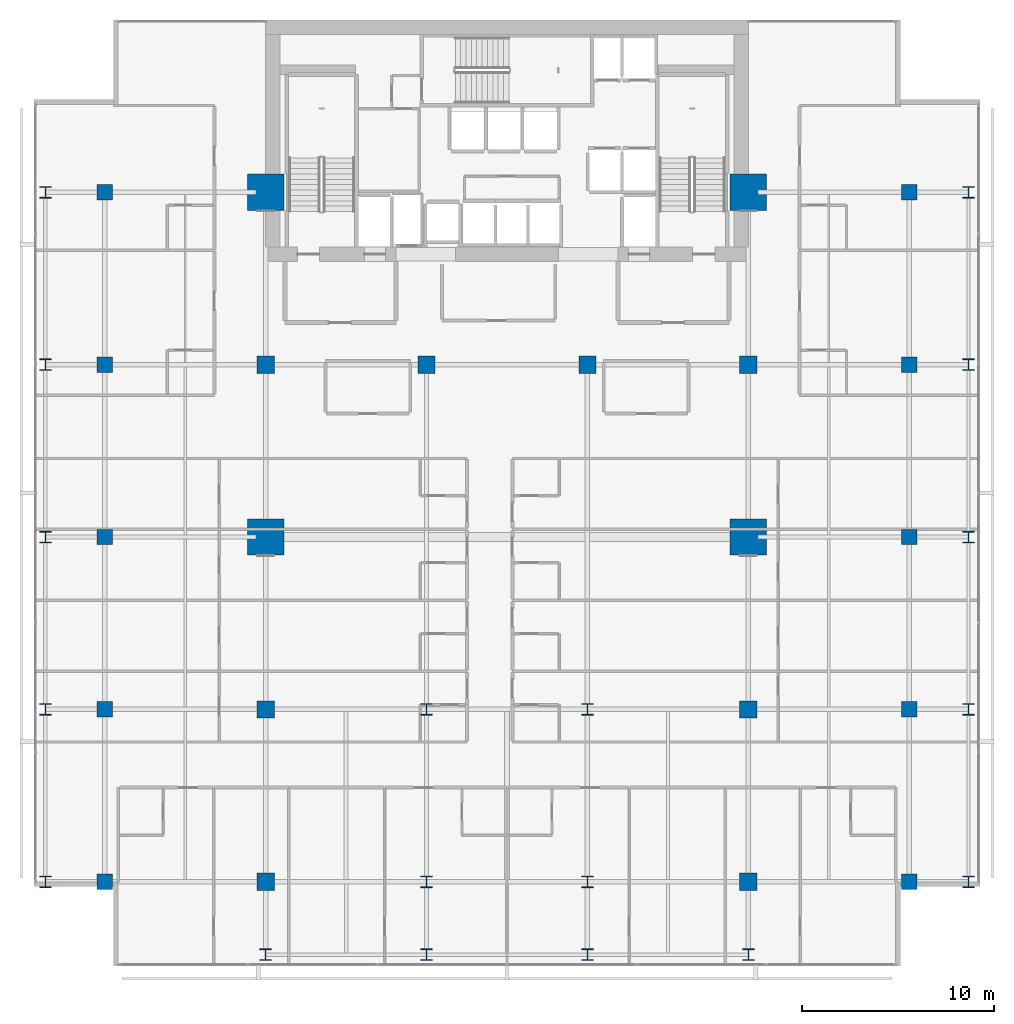
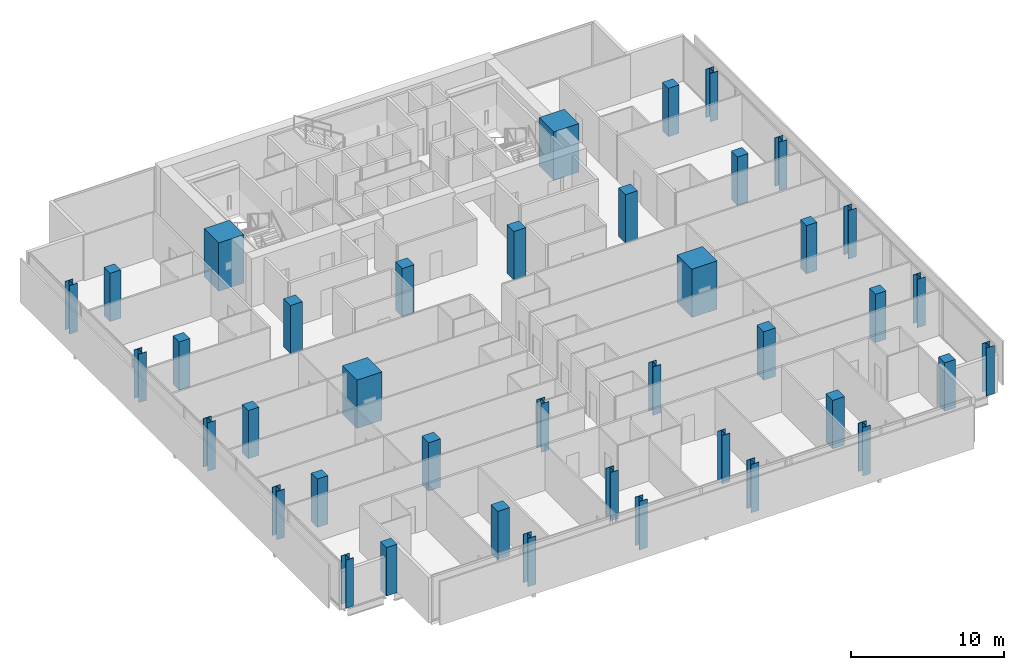
# One storey, part 1 of 34: 40 columns.
"""IFC4 building model written with IfcOpenShell, lengths in metres."""

from ifc_helpers import new_model, si_unit, direction, frame, origin, origin_2d, place, context, subcontext, project, spatial, rectangle, i_section, extrude, material, material_profile, profile_set, type_object, element, save


model = new_model("IFC4")

# Units and contexts
model_context = context("Model", 3, precision=1e-05, world=origin(), true_north=direction((0.0, 1.0)))
body_context = subcontext(model_context, "Body", "Model", "MODEL_VIEW")
ifc_project = project(units=[si_unit("LENGTHUNIT", "METRE"), si_unit("AREAUNIT", "SQUARE_METRE"), si_unit("VOLUMEUNIT", "CUBIC_METRE"), si_unit("PLANEANGLEUNIT", "RADIAN"), si_unit("MASSUNIT", "GRAM", prefix="KILO")], contexts=[model_context])

# Site, building, storey
site_placement = place(None, origin())
site = spatial("IfcSite", under=ifc_project, at=site_placement, CompositionType="ELEMENT")
building_placement = place(site_placement, origin())
building = spatial("IfcBuilding", under=site, at=building_placement, Name="Maruvema Waterfront Hotel and Observation Tower", CompositionType="ELEMENT")
storey_placement = place(building_placement, frame((0.0, 0.0, 185.14990234375)))
storey = spatial("IfcBuildingStorey", under=building, at=storey_placement, Name="L45", CompositionType="ELEMENT", Elevation=185.14990234375)

# Columns
ifc_material_1 = material(Name="Concrete C80/95", Category="concrete")
ifc_material_profile_1 = material_profile(ifc_material_1, rectangle(XDim=1.89990234375, YDim=1.89990234375, at=origin_2d()), Name="MC1900x1900")
ifc_profile_set_1 = profile_set([ifc_material_profile_1], Name="Concrete C80/95")
column_type_1 = type_object("IfcColumnType", Name="Continuous Mega-Column MC1900x1900", PredefinedType="COLUMN", material=ifc_profile_set_1)
for number, where, z_axis, x_axis, name in (
    (1, (25.199951171875, 27.0, 0.0), (0.0, 0.0, 1.0), (1.0, 0.0, 0.0), "L45 Continuous Mega-Column MC-01"),
    (2, (50.39990234375, 27.0, 0.0), (0.0, 0.0, 1.0), (1.0, 0.0, 0.0), "L45 Continuous Mega-Column MC-02"),
    (3, (25.199951171875, 45.0, 0.0), (0.0, 0.0, 1.0), (1.0, 0.0, 0.0), "L45 Continuous Mega-Column MC-03"),
    (4, (50.39990234375, 45.0, 0.0), (0.0, 0.0, 1.0), (1.0, 0.0, 0.0), "L45 Continuous Mega-Column MC-04"),
):
    element("IfcColumn", number, at=place(storey_placement, frame(where, z_axis=z_axis, x_axis=x_axis)), inside=storey, type_object=column_type_1, Name=name, PredefinedType="COLUMN", context=body_context, shape_type="SweptSolid", body=[
        extrude(rectangle(XDim=1.89990234375, YDim=1.89990234375, at=origin_2d()), origin(), (0.0, 0.0, 1.0), 3.85009765625),
    ])
ifc_material_2 = material(Name="Concrete C60/75", Category="concrete")
ifc_material_profile_2 = material_profile(ifc_material_2, rectangle(XDim=0.800048828125, YDim=0.800048828125, at=origin_2d()), Name="RC800x800")
ifc_profile_set_2 = profile_set([ifc_material_profile_2], Name="Concrete C60/75")
column_type_2 = type_object("IfcColumnType", Name="Reinforced Concrete Column RC800x800", PredefinedType="COLUMN", material=ifc_profile_set_2)
for number, where, z_axis, x_axis, name in (
    (5, (16.800048828125, 9.0, 0.0), (0.0, 0.0, 1.0), (1.0, 0.0, 0.0), "L45 Column C-3Y9"),
    (6, (58.800048828125, 9.0, 0.0), (0.0, 0.0, 1.0), (1.0, 0.0, 0.0), "L45 Column C-8Y9"),
    (7, (16.800048828125, 18.0, 0.0), (0.0, 0.0, 1.0), (1.0, 0.0, 0.0), "L45 Column C-3Y18"),
    (8, (58.800048828125, 18.0, 0.0), (0.0, 0.0, 1.0), (1.0, 0.0, 0.0), "L45 Column C-8Y18"),
    (9, (16.800048828125, 27.0, 0.0), (0.0, 0.0, 1.0), (1.0, 0.0, 0.0), "L45 Column C-3Y27"),
    (10, (58.800048828125, 27.0, 0.0), (0.0, 0.0, 1.0), (1.0, 0.0, 0.0), "L45 Column C-8Y27"),
    (11, (16.800048828125, 36.0, 0.0), (0.0, 0.0, 1.0), (1.0, 0.0, 0.0), "L45 Column C-3Y36"),
    (12, (58.800048828125, 36.0, 0.0), (0.0, 0.0, 1.0), (1.0, 0.0, 0.0), "L45 Column C-8Y36"),
    (13, (16.800048828125, 45.0, 0.0), (0.0, 0.0, 1.0), (1.0, 0.0, 0.0), "L45 Column C-3Y45"),
    (14, (58.800048828125, 45.0, 0.0), (0.0, 0.0, 1.0), (1.0, 0.0, 0.0), "L45 Column C-8Y45"),
):
    element("IfcColumn", number, at=place(storey_placement, frame(where, z_axis=z_axis, x_axis=x_axis)), inside=storey, type_object=column_type_2, Name=name, PredefinedType="COLUMN", context=body_context, shape_type="SweptSolid", body=[
        extrude(rectangle(XDim=0.800048828125, YDim=0.800048828125, at=origin_2d()), origin(), (0.0, 0.0, 1.0), 3.85009765625),
    ])
ifc_material_3 = material(Name="Concrete C60/75", Category="concrete")
ifc_material_profile_3 = material_profile(ifc_material_3, rectangle(XDim=0.89990234375, YDim=0.89990234375, at=origin_2d()), Name="RC900x900")
ifc_profile_set_3 = profile_set([ifc_material_profile_3], Name="Concrete C60/75")
column_type_3 = type_object("IfcColumnType", Name="Reinforced Concrete Column RC900x900", PredefinedType="COLUMN", material=ifc_profile_set_3)
for number, where, z_axis, x_axis, name in (
    (15, (25.199951171875, 36.0, 0.0), (0.0, 0.0, 1.0), (1.0, 0.0, 0.0), "L45 Column C-4E"),
    (16, (33.60009765625, 36.0, 0.0), (0.0, 0.0, 1.0), (1.0, 0.0, 0.0), "L45 Column C-5E"),
    (17, (42.0, 36.0, 0.0), (0.0, 0.0, 1.0), (1.0, 0.0, 0.0), "L45 Column C-6E"),
    (18, (50.39990234375, 36.0, 0.0), (0.0, 0.0, 1.0), (1.0, 0.0, 0.0), "L45 Column C-7E"),
    (19, (25.199951171875, 18.0, 0.0), (0.0, 0.0, 1.0), (1.0, 0.0, 0.0), "L45 Column C-4C"),
    (20, (50.39990234375, 18.0, 0.0), (0.0, 0.0, 1.0), (1.0, 0.0, 0.0), "L45 Column C-7C"),
    (21, (25.199951171875, 9.0, 0.0), (0.0, 0.0, 1.0), (1.0, 0.0, 0.0), "L45 Column C-4B"),
    (22, (50.39990234375, 9.0, 0.0), (0.0, 0.0, 1.0), (1.0, 0.0, 0.0), "L45 Column C-7B"),
):
    element("IfcColumn", number, at=place(storey_placement, frame(where, z_axis=z_axis, x_axis=x_axis)), inside=storey, type_object=column_type_3, Name=name, PredefinedType="COLUMN", context=body_context, shape_type="SweptSolid", body=[
        extrude(rectangle(XDim=0.89990234375, YDim=0.89990234375, at=origin_2d()), origin(), (0.0, 0.0, 1.0), 3.85009765625),
    ])
ifc_material_4 = material(Name="Steel ABNT NBR 7007 AR 415 (ASTM A572 Grade 50)", Category="steel")
ifc_material_profile_4 = material_profile(ifc_material_4, i_section(OverallWidth=0.60009765625, OverallDepth=0.60009765625, WebThickness=0.02490234375, FlangeThickness=0.0380859375, at=origin_2d()), Name="CVS600x317")
ifc_profile_set_4 = profile_set([ifc_material_profile_4], Name="Steel ABNT NBR 7007 AR 415 (ASTM A572 Grade 50)")
column_type_4 = type_object("IfcColumnType", Name="Structural Steel Column CVS600x317", PredefinedType="COLUMN", material=ifc_profile_set_4)
for number, where, z_axis, x_axis, name in (
    (23, (33.60009765625, 9.0, 0.0), (0.0, 0.0, 1.0), (1.0, 0.0, 0.0), "L45 Column C-5B"),
    (24, (42.0, 9.0, 0.0), (0.0, 0.0, 1.0), (1.0, 0.0, 0.0), "L45 Column C-6B"),
    (25, (33.60009765625, 18.0, 0.0), (0.0, 0.0, 1.0), (1.0, 0.0, 0.0), "L45 Column C-5C"),
    (26, (42.0, 18.0, 0.0), (0.0, 0.0, 1.0), (1.0, 0.0, 0.0), "L45 Column C-6C"),
    (27, (13.699951171875, 9.0, 0.0), (0.0, 0.0, 1.0), (1.0, 0.0, 0.0), "L45 Column C-Z2W9"),
    (28, (61.89990234375, 9.0, 0.0), (0.0, 0.0, 1.0), (1.0, 0.0, 0.0), "L45 Column C-Z2E9"),
    (29, (13.699951171875, 18.0, 0.0), (0.0, 0.0, 1.0), (1.0, 0.0, 0.0), "L45 Column C-Z2W18"),
    (30, (61.89990234375, 18.0, 0.0), (0.0, 0.0, 1.0), (1.0, 0.0, 0.0), "L45 Column C-Z2E18"),
    (31, (13.699951171875, 27.0, 0.0), (0.0, 0.0, 1.0), (1.0, 0.0, 0.0), "L45 Column C-Z2W27"),
    (32, (61.89990234375, 27.0, 0.0), (0.0, 0.0, 1.0), (1.0, 0.0, 0.0), "L45 Column C-Z2E27"),
    (33, (13.699951171875, 36.0, 0.0), (0.0, 0.0, 1.0), (1.0, 0.0, 0.0), "L45 Column C-Z2W36"),
    (34, (61.89990234375, 36.0, 0.0), (0.0, 0.0, 1.0), (1.0, 0.0, 0.0), "L45 Column C-Z2E36"),
    (35, (13.699951171875, 45.0, 0.0), (0.0, 0.0, 1.0), (1.0, 0.0, 0.0), "L45 Column C-Z2W45"),
    (36, (61.89990234375, 45.0, 0.0), (0.0, 0.0, 1.0), (1.0, 0.0, 0.0), "L45 Column C-Z2E45"),
    (37, (25.199951171875, 5.199951171875, 0.0), (0.0, 0.0, 1.0), (1.0, 0.0, 0.0), "L45 Column C-Z2S4"),
    (38, (33.60009765625, 5.199951171875, 0.0), (0.0, 0.0, 1.0), (1.0, 0.0, 0.0), "L45 Column C-Z2S5"),
    (39, (42.0, 5.199951171875, 0.0), (0.0, 0.0, 1.0), (1.0, 0.0, 0.0), "L45 Column C-Z2S6"),
    (40, (50.39990234375, 5.199951171875, 0.0), (0.0, 0.0, 1.0), (1.0, 0.0, 0.0), "L45 Column C-Z2S7"),
):
    element("IfcColumn", number, at=place(storey_placement, frame(where, z_axis=z_axis, x_axis=x_axis)), inside=storey, type_object=column_type_4, Name=name, PredefinedType="COLUMN", context=body_context, shape_type="SweptSolid", body=[
        extrude(i_section(OverallWidth=0.60009765625, OverallDepth=0.60009765625, WebThickness=0.02490234375, FlangeThickness=0.0380859375, at=origin_2d()), origin(), (0.0, 0.0, 1.0), 3.85009765625),
    ])

save(model, "model.ifc")
